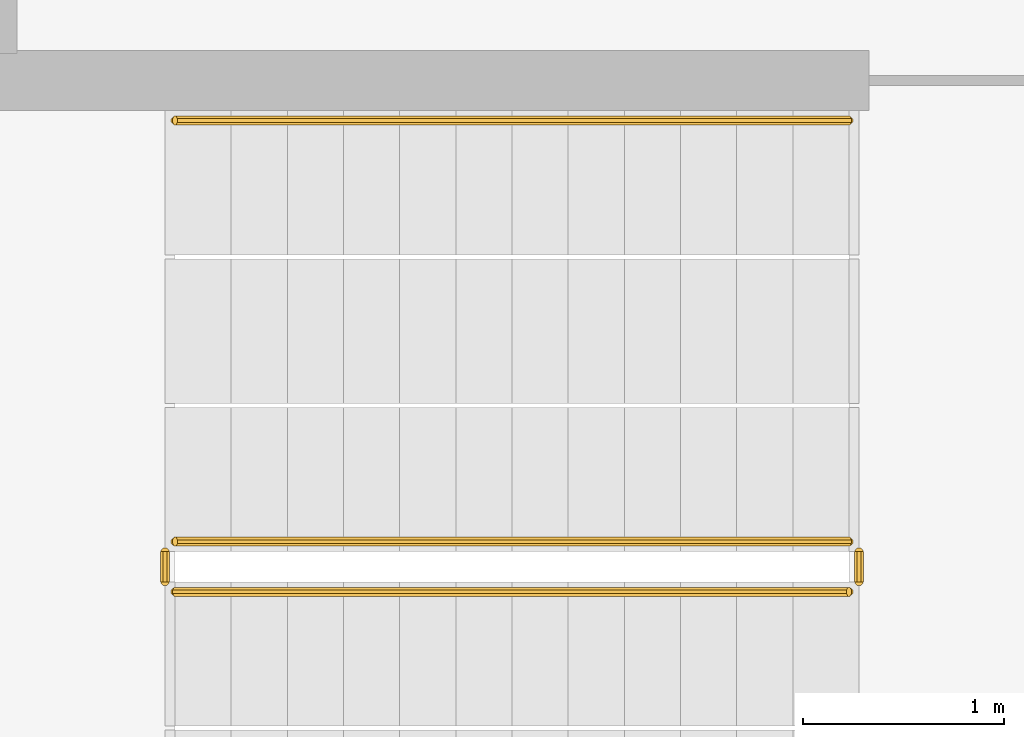
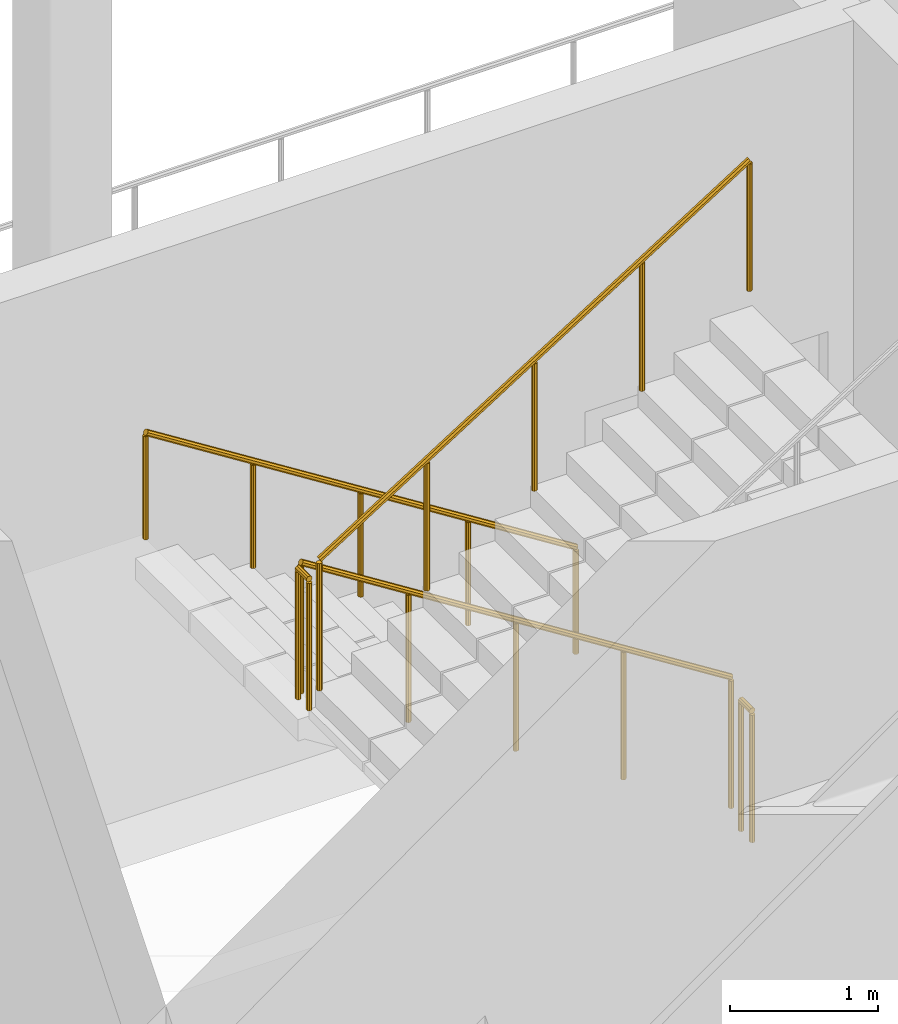
# One storey, part 22 of 32: 5 railings.
"""IFC4 building model written with IfcOpenShell, lengths in metres."""

from ifc_helpers import new_model, si_unit, direction, frame, origin, place, context, subcontext, project, spatial, polyline, outline, extrude, material, type_object, element, save


model = new_model("IFC4")

# Units and contexts
model_context = context("Model", 3, precision=1e-05, world=origin(), true_north=direction((0.0, 1.0)))
body_context = subcontext(model_context, "Body", "Model", "MODEL_VIEW")
ifc_project = project(units=[si_unit("LENGTHUNIT", "METRE"), si_unit("AREAUNIT", "SQUARE_METRE"), si_unit("VOLUMEUNIT", "CUBIC_METRE"), si_unit("PLANEANGLEUNIT", "RADIAN"), si_unit("MASSUNIT", "GRAM", prefix="KILO")], contexts=[model_context])

# Site, building, storey
site_placement = place(None, origin())
site = spatial("IfcSite", under=ifc_project, at=site_placement, CompositionType="ELEMENT")
building_placement = place(site_placement, origin())
building = spatial("IfcBuilding", under=site, at=building_placement, Name="Cormorant Relay Tower", CompositionType="ELEMENT")
storey_placement = place(building_placement, frame((0.0, 0.0, 70.800048828125)))
storey = spatial("IfcBuildingStorey", under=building, at=storey_placement, Name="L13", CompositionType="ELEMENT", Elevation=70.800048828125)

# Railings
ifc_material_1 = material(Name="Steel ASTM A572 Grade 50 (Fy 345 MPa)", Category="steel")
railing_type_1 = type_object("IfcRailingType", Name="Stair guard 1100", PredefinedType="GUARDRAIL", material=ifc_material_1)
railing_1_placement = place(storey_placement, frame((1.60009765625, -18.27490234375, 0.1767578125)))
element("IfcRailing", 1, at=railing_1_placement, inside=storey, type_object=railing_type_1, Name="L13 RK1 stair guard 1", PredefinedType="GUARDRAIL", context=body_context, shape_type="SweptSolid", body=[
    extrude(outline(polyline([(0.022216796875, 0.00927734375), (0.00927734375, 0.022216796875), (-0.00927734375, 0.022216796875), (-0.022216796875, 0.00927734375), (-0.022216796875, -0.00927734375), (-0.00927734375, -0.022216796875), (0.00927734375, -0.022216796875), (0.022216796875, -0.00927734375), (0.022216796875, 0.00927734375)])), frame((0.0, 0.0, 1.076171875), z_axis=(-0.845361898145, 0.0, 0.534194029511), x_axis=(0.0, -1.0, 0.0)), (0.0, 0.0, 1.0), 3.974853515625),
    extrude(outline(polyline([(0.019287109375, 0.008056640625), (0.008056640625, 0.019287109375), (-0.008056640625, 0.019287109375), (-0.019287109375, 0.008056640625), (-0.019287109375, -0.008056640625), (-0.008056640625, -0.019287109375), (0.008056640625, -0.019287109375), (0.019287109375, -0.008056640625), (0.019287109375, 0.008056640625)])), origin(), (0.0, 0.0, 1.0), 1.052001953125),
    extrude(outline(polyline([(0.019287109375, 0.008056640625), (0.008056640625, 0.019287109375), (-0.008056640625, 0.019287109375), (-0.019287109375, 0.008056640625), (-0.019287109375, -0.008056640625), (-0.008056640625, -0.019287109375), (0.008056640625, -0.019287109375), (0.019287109375, -0.008056640625), (0.019287109375, 0.008056640625)])), frame((-0.840087890625, 0.0, 0.53076171875)), (0.0, 0.0, 1.0), 1.052001953125),
    extrude(outline(polyline([(0.019287109375, 0.008056640625), (0.008056640625, 0.019287109375), (-0.008056640625, 0.019287109375), (-0.019287109375, 0.008056640625), (-0.019287109375, -0.008056640625), (-0.008056640625, -0.019287109375), (0.008056640625, -0.019287109375), (0.019287109375, -0.008056640625), (0.019287109375, 0.008056640625)])), frame((-1.68017578125, 0.0, 1.0615234375)), (0.0, 0.0, 1.0), 1.052001953125),
    extrude(outline(polyline([(0.019287109375, 0.008056640625), (0.008056640625, 0.019287109375), (-0.008056640625, 0.019287109375), (-0.019287109375, 0.008056640625), (-0.019287109375, -0.008056640625), (-0.008056640625, -0.019287109375), (0.008056640625, -0.019287109375), (0.019287109375, -0.008056640625), (0.019287109375, 0.008056640625)])), frame((-2.52001953125, 0.0, 1.592529296875)), (0.0, 0.0, 1.0), 1.052001953125),
    extrude(outline(polyline([(0.019287109375, 0.008056640625), (0.008056640625, 0.019287109375), (-0.008056640625, 0.019287109375), (-0.019287109375, 0.008056640625), (-0.019287109375, -0.008056640625), (-0.008056640625, -0.019287109375), (0.008056640625, -0.019287109375), (0.019287109375, -0.008056640625), (0.019287109375, 0.008056640625)])), frame((-3.360107421875, 0.0, 2.123291015625)), (0.0, 0.0, 1.0), 1.052001953125),
])
railing_2_placement = place(storey_placement, frame((-1.81005859375, -18.324951171875, 2.300048828125)))
element("IfcRailing", 2, at=railing_2_placement, inside=storey, type_object=railing_type_1, Name="L13 RK1 stair guard 2", PredefinedType="GUARDRAIL", context=body_context, shape_type="SweptSolid", body=[
    extrude(outline(polyline([(0.022216796875, 0.00927734375), (0.00927734375, 0.022216796875), (-0.00927734375, 0.022216796875), (-0.022216796875, 0.00927734375), (-0.022216796875, -0.00927734375), (-0.00927734375, -0.022216796875), (0.00927734375, -0.022216796875), (0.022216796875, -0.00927734375), (0.022216796875, 0.00927734375)])), frame((0.0, 0.0, 1.076171875), z_axis=(0.0, -1.0, 0.0), x_axis=(1.0, 0.0, 0.0)), (0.0, 0.0, 1.0), 0.150146484375),
    extrude(outline(polyline([(0.019287109375, 0.008056640625), (0.008056640625, 0.019287109375), (-0.008056640625, 0.019287109375), (-0.019287109375, 0.008056640625), (-0.019287109375, -0.008056640625), (-0.008056640625, -0.019287109375), (0.008056640625, -0.019287109375), (0.019287109375, -0.008056640625), (0.019287109375, 0.008056640625)])), origin(), (0.0, 0.0, 1.0), 1.052001953125),
    extrude(outline(polyline([(0.019287109375, 0.008056640625), (0.008056640625, 0.019287109375), (-0.008056640625, 0.019287109375), (-0.019287109375, 0.008056640625), (-0.019287109375, -0.008056640625), (-0.008056640625, -0.019287109375), (0.008056640625, -0.019287109375), (0.019287109375, -0.008056640625), (0.019287109375, 0.008056640625)])), frame((0.0, -0.150146484375, 0.0)), (0.0, 0.0, 1.0), 1.052001953125),
])
railing_3_placement = place(storey_placement, frame((-1.760009765625, -18.52490234375, 2.476806640625)))
element("IfcRailing", 3, at=railing_3_placement, inside=storey, type_object=railing_type_1, Name="L13 RK1 stair guard 3", PredefinedType="GUARDRAIL", context=body_context, shape_type="SweptSolid", body=[
    extrude(outline(polyline([(0.022216796875, 0.00927734375), (0.00927734375, 0.022216796875), (-0.00927734375, 0.022216796875), (-0.022216796875, 0.00927734375), (-0.022216796875, -0.00927734375), (-0.00927734375, -0.022216796875), (0.00927734375, -0.022216796875), (0.022216796875, -0.00927734375), (0.022216796875, 0.00927734375)])), frame((0.0, 0.0, 1.076171875), z_axis=(0.845389635667, 0.0, 0.534150132366), x_axis=(0.0, 1.0, 0.0)), (0.0, 0.0, 1.0), 3.974609375),
    extrude(outline(polyline([(0.019287109375, 0.008056640625), (0.008056640625, 0.019287109375), (-0.008056640625, 0.019287109375), (-0.019287109375, 0.008056640625), (-0.019287109375, -0.008056640625), (-0.008056640625, -0.019287109375), (0.008056640625, -0.019287109375), (0.019287109375, -0.008056640625), (0.019287109375, 0.008056640625)])), origin(), (0.0, 0.0, 1.0), 1.052001953125),
    extrude(outline(polyline([(0.019287109375, 0.008056640625), (0.008056640625, 0.019287109375), (-0.008056640625, 0.019287109375), (-0.019287109375, 0.008056640625), (-0.019287109375, -0.008056640625), (-0.008056640625, -0.019287109375), (0.008056640625, -0.019287109375), (0.019287109375, -0.008056640625), (0.019287109375, 0.008056640625)])), frame((0.840087890625, 0.0, 0.53076171875)), (0.0, 0.0, 1.0), 1.052001953125),
    extrude(outline(polyline([(0.019287109375, 0.008056640625), (0.008056640625, 0.019287109375), (-0.008056640625, 0.019287109375), (-0.019287109375, 0.008056640625), (-0.019287109375, -0.008056640625), (-0.008056640625, -0.019287109375), (0.008056640625, -0.019287109375), (0.019287109375, -0.008056640625), (0.019287109375, 0.008056640625)])), frame((1.68017578125, 0.0, 1.0615234375)), (0.0, 0.0, 1.0), 1.052001953125),
    extrude(outline(polyline([(0.019287109375, 0.008056640625), (0.008056640625, 0.019287109375), (-0.008056640625, 0.019287109375), (-0.019287109375, 0.008056640625), (-0.019287109375, -0.008056640625), (-0.008056640625, -0.019287109375), (0.008056640625, -0.019287109375), (0.019287109375, -0.008056640625), (0.019287109375, 0.008056640625)])), frame((2.52001953125, 0.0, 1.59228515625)), (0.0, 0.0, 1.0), 1.052001953125),
    extrude(outline(polyline([(0.019287109375, 0.008056640625), (0.008056640625, 0.019287109375), (-0.008056640625, 0.019287109375), (-0.019287109375, 0.008056640625), (-0.019287109375, -0.008056640625), (-0.008056640625, -0.019287109375), (0.008056640625, -0.019287109375), (0.019287109375, -0.008056640625), (0.019287109375, 0.008056640625)])), frame((3.360107421875, 0.0, 2.123046875)), (0.0, 0.0, 1.0), 1.052001953125),
])
railing_4_placement = place(storey_placement, frame((1.64990234375, -18.324951171875, 0.0)))
element("IfcRailing", 4, at=railing_4_placement, inside=storey, type_object=railing_type_1, Name="L13 RK1 stair guard 4", PredefinedType="GUARDRAIL", context=body_context, shape_type="SweptSolid", body=[
    extrude(outline(polyline([(0.022216796875, 0.00927734375), (0.00927734375, 0.022216796875), (-0.00927734375, 0.022216796875), (-0.022216796875, 0.00927734375), (-0.022216796875, -0.00927734375), (-0.00927734375, -0.022216796875), (0.00927734375, -0.022216796875), (0.022216796875, -0.00927734375), (0.022216796875, 0.00927734375)])), frame((0.0, 0.0, 1.076171875), z_axis=(0.0, -1.0, 0.0), x_axis=(1.0, 0.0, 0.0)), (0.0, 0.0, 1.0), 0.150146484375),
    extrude(outline(polyline([(0.019287109375, 0.008056640625), (0.008056640625, 0.019287109375), (-0.008056640625, 0.019287109375), (-0.019287109375, 0.008056640625), (-0.019287109375, -0.008056640625), (-0.008056640625, -0.019287109375), (0.008056640625, -0.019287109375), (0.019287109375, -0.008056640625), (0.019287109375, 0.008056640625)])), origin(), (0.0, 0.0, 1.0), 1.052001953125),
    extrude(outline(polyline([(0.019287109375, 0.008056640625), (0.008056640625, 0.019287109375), (-0.008056640625, 0.019287109375), (-0.019287109375, 0.008056640625), (-0.019287109375, -0.008056640625), (-0.008056640625, -0.019287109375), (0.008056640625, -0.019287109375), (0.019287109375, -0.008056640625), (0.019287109375, 0.008056640625)])), frame((0.0, -0.150146484375, 0.0)), (0.0, 0.0, 1.0), 1.052001953125),
])
ifc_material_2 = material(Name="Steel ASTM A572 Grade 50 (Fy 345 MPa)", Category="steel")
railing_type_2 = type_object("IfcRailingType", Name="Stair handrail 900", PredefinedType="HANDRAIL", material=ifc_material_2)
railing_5_placement = place(storey_placement, frame((1.60009765625, -16.175048828125, 0.1767578125)))
element("IfcRailing", 5, at=railing_5_placement, inside=storey, type_object=railing_type_2, Name="L13 RK1 stair handrail 1", PredefinedType="HANDRAIL", context=body_context, shape_type="SweptSolid", body=[
    extrude(outline(polyline([(0.022216796875, 0.00927734375), (0.00927734375, 0.022216796875), (-0.00927734375, 0.022216796875), (-0.022216796875, 0.00927734375), (-0.022216796875, -0.00927734375), (-0.00927734375, -0.022216796875), (0.00927734375, -0.022216796875), (0.022216796875, -0.00927734375), (0.022216796875, 0.00927734375)])), frame((0.0, 0.0, 0.8759765625), z_axis=(-0.845361898145, 0.0, 0.534194029511), x_axis=(0.0, -1.0, 0.0)), (0.0, 0.0, 1.0), 3.974853515625),
    extrude(outline(polyline([(0.019287109375, 0.008056640625), (0.008056640625, 0.019287109375), (-0.008056640625, 0.019287109375), (-0.019287109375, 0.008056640625), (-0.019287109375, -0.008056640625), (-0.008056640625, -0.019287109375), (0.008056640625, -0.019287109375), (0.019287109375, -0.008056640625), (0.019287109375, 0.008056640625)])), origin(), (0.0, 0.0, 1.0), 0.851806640625),
    extrude(outline(polyline([(0.019287109375, 0.008056640625), (0.008056640625, 0.019287109375), (-0.008056640625, 0.019287109375), (-0.019287109375, 0.008056640625), (-0.019287109375, -0.008056640625), (-0.008056640625, -0.019287109375), (0.008056640625, -0.019287109375), (0.019287109375, -0.008056640625), (0.019287109375, 0.008056640625)])), frame((-0.840087890625, 0.0, 0.53076171875)), (0.0, 0.0, 1.0), 0.851806640625),
    extrude(outline(polyline([(0.019287109375, 0.008056640625), (0.008056640625, 0.019287109375), (-0.008056640625, 0.019287109375), (-0.019287109375, 0.008056640625), (-0.019287109375, -0.008056640625), (-0.008056640625, -0.019287109375), (0.008056640625, -0.019287109375), (0.019287109375, -0.008056640625), (0.019287109375, 0.008056640625)])), frame((-1.68017578125, 0.0, 1.0615234375)), (0.0, 0.0, 1.0), 0.851806640625),
    extrude(outline(polyline([(0.019287109375, 0.008056640625), (0.008056640625, 0.019287109375), (-0.008056640625, 0.019287109375), (-0.019287109375, 0.008056640625), (-0.019287109375, -0.008056640625), (-0.008056640625, -0.019287109375), (0.008056640625, -0.019287109375), (0.019287109375, -0.008056640625), (0.019287109375, 0.008056640625)])), frame((-2.52001953125, 0.0, 1.592529296875)), (0.0, 0.0, 1.0), 0.851806640625),
    extrude(outline(polyline([(0.019287109375, 0.008056640625), (0.008056640625, 0.019287109375), (-0.008056640625, 0.019287109375), (-0.019287109375, 0.008056640625), (-0.019287109375, -0.008056640625), (-0.008056640625, -0.019287109375), (0.008056640625, -0.019287109375), (0.019287109375, -0.008056640625), (0.019287109375, 0.008056640625)])), frame((-3.360107421875, 0.0, 2.123291015625)), (0.0, 0.0, 1.0), 0.851806640625),
])

save(model, "model.ifc")
